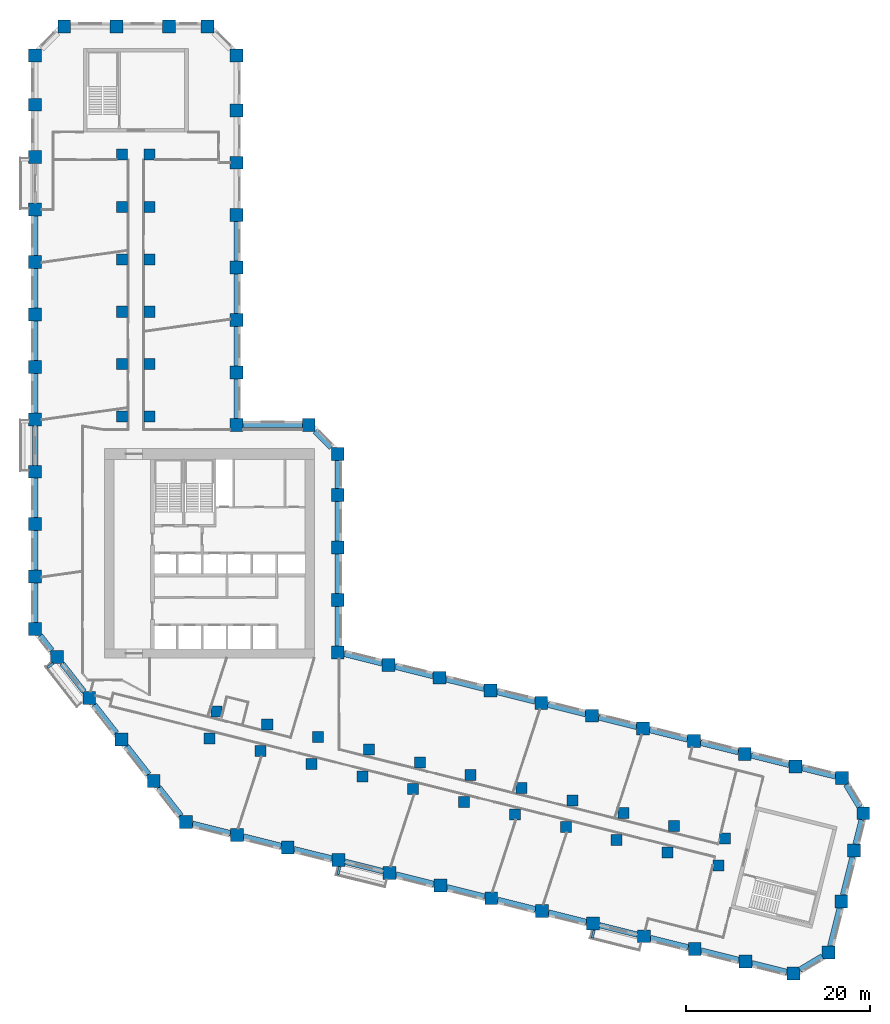
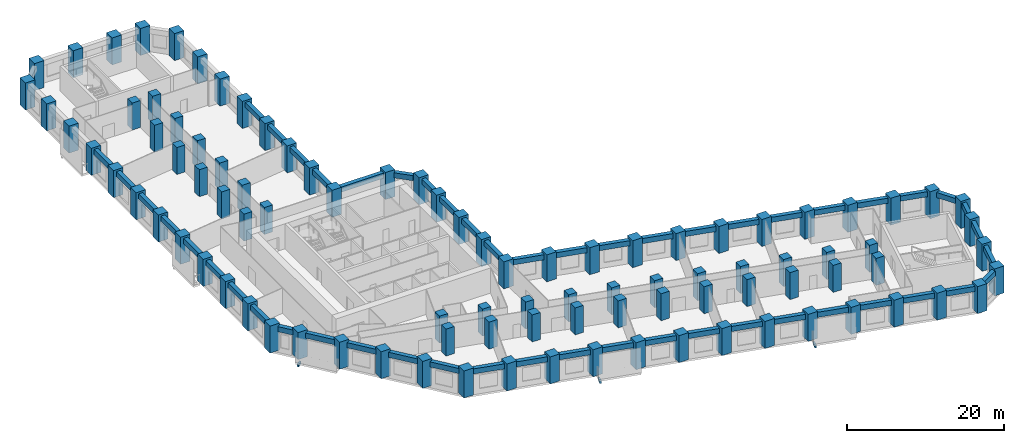
# One storey, part 1 of 12: 95 columns, 53 beams.
"""IFC4 building model written with IfcOpenShell, lengths in metres."""

from ifc_helpers import new_model, si_unit, direction, frame, origin, origin_2d, place, context, subcontext, project, spatial, rectangle, extrude, material, material_profile, profile_set, type_object, element, save


model = new_model("IFC4")

# Units and contexts
model_context = context("Model", 3, precision=1e-05, world=origin(), true_north=direction((0.0, 1.0)))
body_context = subcontext(model_context, "Body", "Model", "MODEL_VIEW")
ifc_project = project(units=[si_unit("LENGTHUNIT", "METRE"), si_unit("AREAUNIT", "SQUARE_METRE"), si_unit("VOLUMEUNIT", "CUBIC_METRE"), si_unit("PLANEANGLEUNIT", "RADIAN"), si_unit("MASSUNIT", "GRAM", prefix="KILO")], contexts=[model_context])

# Site, building, storey
site_placement = place(None, origin())
site = spatial("IfcSite", under=ifc_project, at=site_placement, CompositionType="ELEMENT")
building_placement = place(site_placement, origin())
building = spatial("IfcBuilding", under=site, at=building_placement, Name="Meshkara Civic Tower", CompositionType="ELEMENT")
storey_placement = place(building_placement, frame((0.0, 0.0, 62.39990234375)))
storey = spatial("IfcBuildingStorey", under=building, at=storey_placement, Name="L13", CompositionType="ELEMENT", Elevation=62.39990234375)

# Columns
ifc_material_1 = material(Name="Concrete C80", Category="concrete")
ifc_material_profile_1 = material_profile(ifc_material_1, rectangle(XDim=1.199951171875, YDim=1.199951171875, at=origin_2d()))
ifc_profile_set_1 = profile_set([ifc_material_profile_1], Name="Concrete C80")
column_type_1 = type_object("IfcColumnType", Name="Interior column RC 1200x1200 C80", PredefinedType="COLUMN", material=ifc_profile_set_1)
for number, where, z_axis, x_axis, name in (
    (1, (9.89990234375, 40.35009765625, 0.0), (0.0, 0.0, 1.0), (1.0, 0.0, 0.0), "Column SA1-04 L13"),
    (2, (9.89990234375, 46.050048828125, 0.0), (0.0, 0.0, 1.0), (1.0, 0.0, 0.0), "Column SA1-05 L13"),
    (3, (9.89990234375, 51.75, 0.0), (0.0, 0.0, 1.0), (1.0, 0.0, 0.0), "Column SA1-06 L13"),
    (4, (9.89990234375, 57.449951171875, 0.0), (0.0, 0.0, 1.0), (1.0, 0.0, 0.0), "Column SA1-07 L13"),
    (5, (9.89990234375, 63.14990234375, 0.0), (0.0, 0.0, 1.0), (1.0, 0.0, 0.0), "Column SA1-08 L13"),
    (6, (9.89990234375, 68.85009765625, 0.0), (0.0, 0.0, 1.0), (1.0, 0.0, 0.0), "Column SA1-09 L13"),
    (7, (12.89990234375, 40.35009765625, 0.0), (0.0, 0.0, 1.0), (1.0, 0.0, 0.0), "Column SA2-04 L13"),
    (8, (12.89990234375, 46.050048828125, 0.0), (0.0, 0.0, 1.0), (1.0, 0.0, 0.0), "Column SA2-05 L13"),
    (9, (12.89990234375, 51.75, 0.0), (0.0, 0.0, 1.0), (1.0, 0.0, 0.0), "Column SA2-06 L13"),
    (10, (12.89990234375, 57.449951171875, 0.0), (0.0, 0.0, 1.0), (1.0, 0.0, 0.0), "Column SA2-07 L13"),
    (11, (12.89990234375, 63.14990234375, 0.0), (0.0, 0.0, 1.0), (1.0, 0.0, 0.0), "Column SA2-08 L13"),
    (12, (12.89990234375, 68.85009765625, 0.0), (0.0, 0.0, 1.0), (1.0, 0.0, 0.0), "Column SA2-09 L13"),
    (13, (19.424072265625, 5.360107421875, 0.0), (0.0, 0.0, 1.0), (1.0, 0.0, 0.0), "Column SB1-00 L13"),
    (14, (24.9541015625, 3.98095703125, 0.0), (0.0, 0.0, 1.0), (1.0, 0.0, 0.0), "Column SB1-01 L13"),
    (15, (30.485107421875, 2.60205078125, 0.0), (0.0, 0.0, 1.0), (1.0, 0.0, 0.0), "Column SB1-02 L13"),
    (16, (36.01611328125, 1.222900390625, 0.0), (0.0, 0.0, 1.0), (1.0, 0.0, 0.0), "Column SB1-03 L13"),
    (17, (41.5458984375, -0.156005859375, 0.0), (0.0, 0.0, 1.0), (1.0, 0.0, 0.0), "Column SB1-04 L13"),
    (18, (47.076904296875, -1.534912109375, 0.0), (0.0, 0.0, 1.0), (1.0, 0.0, 0.0), "Column SB1-05 L13"),
    (19, (52.60791015625, -2.9140625, 0.0), (0.0, 0.0, 1.0), (1.0, 0.0, 0.0), "Column SB1-06 L13"),
    (20, (58.138916015625, -4.2919921875, 0.0), (0.0, 0.0, 1.0), (1.0, 0.0, 0.0), "Column SB1-07 L13"),
    (21, (63.6689453125, -5.6708984375, 0.0), (0.0, 0.0, 1.0), (1.0, 0.0, 0.0), "Column SB1-08 L13"),
    (22, (69.199951171875, -7.050048828125, 0.0), (0.0, 0.0, 1.0), (1.0, 0.0, 0.0), "Column SB1-09 L13"),
    (23, (74.73095703125, -8.428955078125, 0.0), (0.0, 0.0, 1.0), (1.0, 0.0, 0.0), "Column SB1-10 L13"),
    (24, (20.14892578125, 8.27099609375, 0.0), (0.0, 0.0, 1.0), (1.0, 0.0, 0.0), "Column SB2-00 L13"),
    (25, (25.679931640625, 6.89208984375, 0.0), (0.0, 0.0, 1.0), (1.0, 0.0, 0.0), "Column SB2-01 L13"),
    (26, (31.2109375, 5.512939453125, 0.0), (0.0, 0.0, 1.0), (1.0, 0.0, 0.0), "Column SB2-02 L13"),
    (27, (36.741943359375, 4.134033203125, 0.0), (0.0, 0.0, 1.0), (1.0, 0.0, 0.0), "Column SB2-03 L13"),
    (28, (42.27197265625, 2.7548828125, 0.0), (0.0, 0.0, 1.0), (1.0, 0.0, 0.0), "Column SB2-04 L13"),
    (29, (47.802978515625, 1.3759765625, 0.0), (0.0, 0.0, 1.0), (1.0, 0.0, 0.0), "Column SB2-05 L13"),
    (30, (53.333984375, -0.0029296875, 0.0), (0.0, 0.0, 1.0), (1.0, 0.0, 0.0), "Column SB2-06 L13"),
    (31, (58.864013671875, -1.382080078125, 0.0), (0.0, 0.0, 1.0), (1.0, 0.0, 0.0), "Column SB2-07 L13"),
    (32, (64.39501953125, -2.760986328125, 0.0), (0.0, 0.0, 1.0), (1.0, 0.0, 0.0), "Column SB2-08 L13"),
    (33, (69.926025390625, -4.139892578125, 0.0), (0.0, 0.0, 1.0), (1.0, 0.0, 0.0), "Column SB2-09 L13"),
    (34, (75.4560546875, -5.51806640625, 0.0), (0.0, 0.0, 1.0), (1.0, 0.0, 0.0), "Column SB2-10 L13"),
):
    element("IfcColumn", number, at=place(storey_placement, frame(where, z_axis=z_axis, x_axis=x_axis)), inside=storey, type_object=column_type_1, Name=name, PredefinedType="COLUMN", context=body_context, shape_type="SweptSolid", body=[
        extrude(rectangle(XDim=1.199951171875, YDim=1.199951171875, at=origin_2d()), origin(), (0.0, 0.0, 1.0), 4.2001953125),
    ])
ifc_material_2 = material(Name="Concrete C80", Category="concrete")
ifc_material_profile_2 = material_profile(ifc_material_2, rectangle(XDim=1.39990234375, YDim=1.39990234375, at=origin_2d()))
ifc_profile_set_2 = profile_set([ifc_material_profile_2], Name="Concrete C80")
column_type_2 = type_object("IfcColumnType", Name="Perimeter column RC 1400x1400 C80", PredefinedType="COLUMN", material=ifc_profile_set_2)
for number, where, z_axis, x_axis, name in (
    (35, (33.35009765625, 14.718994140625, 0.0), (0.0, 0.0, 1.0), (1.0, 0.0, 0.0), "Column HE00 L13"),
    (36, (33.35009765625, 20.4189453125, 0.0), (0.0, 0.0, 1.0), (1.0, 0.0, 0.0), "Column HE01 L13"),
    (37, (33.35009765625, 26.118896484375, 0.0), (0.0, 0.0, 1.0), (1.0, 0.0, 0.0), "Column HE02 L13"),
    (38, (33.35009765625, 31.819091796875, 0.0), (0.0, 0.0, 1.0), (1.0, 0.0, 0.0), "Column HE03 L13"),
    (39, (33.35009765625, 36.2939453125, 0.0), (0.0, 0.0, 1.0), (1.0, 0.0, 0.0), "Column HEE L13"),
    (40, (30.194091796875, 39.449951171875, 0.0), (0.0, 0.0, 1.0), (1.0, 0.0, 0.0), "Column HCeE L13"),
    (41, (22.35009765625, 39.449951171875, 0.0), (0.0, 0.0, 1.0), (1.0, 0.0, 0.0), "Column HN00 L13"),
    (42, (22.35009765625, 45.14990234375, 0.0), (0.0, 0.0, 1.0), (1.0, 0.0, 0.0), "Column AE01 L13"),
    (43, (22.35009765625, 50.85009765625, 0.0), (0.0, 0.0, 1.0), (1.0, 0.0, 0.0), "Column AE02 L13"),
    (44, (22.35009765625, 56.550048828125, 0.0), (0.0, 0.0, 1.0), (1.0, 0.0, 0.0), "Column AE03 L13"),
    (45, (22.35009765625, 62.25, 0.0), (0.0, 0.0, 1.0), (1.0, 0.0, 0.0), "Column AE04 L13"),
    (46, (22.35009765625, 67.949951171875, 0.0), (0.0, 0.0, 1.0), (1.0, 0.0, 0.0), "Column AE05 L13"),
    (47, (22.35009765625, 73.64990234375, 0.0), (0.0, 0.0, 1.0), (1.0, 0.0, 0.0), "Column AE06 L13"),
    (48, (22.35009765625, 79.614013671875, 0.0), (0.0, 0.0, 1.0), (1.0, 0.0, 0.0), "Column AEE L13"),
    (49, (19.194091796875, 82.77001953125, 0.0), (0.0, 0.0, 1.0), (1.0, 0.0, 0.0), "Column ATiE L13"),
    (50, (3.60595703125, 82.77001953125, 0.0), (0.0, 0.0, 1.0), (1.0, 0.0, 0.0), "Column AT00 L13"),
    (51, (9.305908203125, 82.77001953125, 0.0), (0.0, 0.0, 1.0), (1.0, 0.0, 0.0), "Column AT01 L13"),
    (52, (15.006103515625, 82.77001953125, 0.0), (0.0, 0.0, 1.0), (1.0, 0.0, 0.0), "Column AT02 L13"),
    (53, (0.449951171875, 79.614013671875, 0.0), (0.0, 0.0, 1.0), (1.0, 0.0, 0.0), "Column ATo00 L13"),
    (54, (0.449951171875, 17.2548828125, 0.0), (0.0, 0.0, 1.0), (1.0, 0.0, 0.0), "Column AW00 L13"),
    (55, (0.449951171875, 22.955078125, 0.0), (0.0, 0.0, 1.0), (1.0, 0.0, 0.0), "Column AW01 L13"),
    (56, (0.449951171875, 28.655029296875, 0.0), (0.0, 0.0, 1.0), (1.0, 0.0, 0.0), "Column AW02 L13"),
    (57, (0.449951171875, 34.35498046875, 0.0), (0.0, 0.0, 1.0), (1.0, 0.0, 0.0), "Column AW03 L13"),
    (58, (0.449951171875, 40.054931640625, 0.0), (0.0, 0.0, 1.0), (1.0, 0.0, 0.0), "Column AW04 L13"),
    (59, (0.449951171875, 45.7548828125, 0.0), (0.0, 0.0, 1.0), (1.0, 0.0, 0.0), "Column AW05 L13"),
    (60, (0.449951171875, 51.455078125, 0.0), (0.0, 0.0, 1.0), (1.0, 0.0, 0.0), "Column AW06 L13"),
    (61, (0.449951171875, 57.155029296875, 0.0), (0.0, 0.0, 1.0), (1.0, 0.0, 0.0), "Column AW07 L13"),
    (62, (0.449951171875, 62.85498046875, 0.0), (0.0, 0.0, 1.0), (1.0, 0.0, 0.0), "Column AW08 L13"),
    (63, (0.449951171875, 68.554931640625, 0.0), (0.0, 0.0, 1.0), (1.0, 0.0, 0.0), "Column AW09 L13"),
    (64, (0.449951171875, 74.2548828125, 0.0), (0.0, 0.0, 1.0), (1.0, 0.0, 0.0), "Column AW10 L13"),
    (65, (16.85107421875, -3.738037109375, 0.0), (0.0, 0.0, 1.0), (1.0, 0.0, 0.0), "Column BOW00 L13"),
    (66, (13.342041015625, 0.75390625, 0.0), (0.0, 0.0, 1.0), (1.0, 0.0, 0.0), "Column BOW01 L13"),
    (67, (9.8330078125, 5.2451171875, 0.0), (0.0, 0.0, 1.0), (1.0, 0.0, 0.0), "Column BOW02 L13"),
    (68, (6.322998046875, 9.737060546875, 0.0), (0.0, 0.0, 1.0), (1.0, 0.0, 0.0), "Column BOW03 L13"),
    (69, (2.81396484375, 14.22900390625, 0.0), (0.0, 0.0, 1.0), (1.0, 0.0, 0.0), "Column BOW04 L13"),
    (70, (22.382080078125, -5.116943359375, 0.0), (0.0, 0.0, 1.0), (1.0, 0.0, 0.0), "Column BS01 L13"),
    (71, (27.912109375, -6.49609375, 0.0), (0.0, 0.0, 1.0), (1.0, 0.0, 0.0), "Column BS02 L13"),
    (72, (33.443115234375, -7.875, 0.0), (0.0, 0.0, 1.0), (1.0, 0.0, 0.0), "Column BS03 L13"),
    (73, (38.97412109375, -9.25390625, 0.0), (0.0, 0.0, 1.0), (1.0, 0.0, 0.0), "Column BS04 L13"),
    (74, (44.5048828125, -10.632080078125, 0.0), (0.0, 0.0, 1.0), (1.0, 0.0, 0.0), "Column BS05 L13"),
    (75, (50.034912109375, -12.010986328125, 0.0), (0.0, 0.0, 1.0), (1.0, 0.0, 0.0), "Column BS06 L13"),
    (76, (55.56591796875, -13.389892578125, 0.0), (0.0, 0.0, 1.0), (1.0, 0.0, 0.0), "Column BS07 L13"),
    (77, (61.096923828125, -14.76904296875, 0.0), (0.0, 0.0, 1.0), (1.0, 0.0, 0.0), "Column BS08 L13"),
    (78, (66.626953125, -16.14794921875, 0.0), (0.0, 0.0, 1.0), (1.0, 0.0, 0.0), "Column BS09 L13"),
    (79, (72.157958984375, -17.527099609375, 0.0), (0.0, 0.0, 1.0), (1.0, 0.0, 0.0), "Column BS10 L13"),
    (80, (77.68896484375, -18.906005859375, 0.0), (0.0, 0.0, 1.0), (1.0, 0.0, 0.0), "Column BS11 L13"),
    (81, (82.887939453125, -20.201904296875, 0.0), (0.0, 0.0, 1.0), (1.0, 0.0, 0.0), "Column BSE L13"),
    (82, (86.714111328125, -17.903076171875, 0.0), (0.0, 0.0, 1.0), (1.0, 0.0, 0.0), "Column BToE L13"),
    (83, (88.093017578125, -12.3720703125, 0.0), (0.0, 0.0, 1.0), (1.0, 0.0, 0.0), "Column BT01 L13"),
    (84, (89.471923828125, -6.842041015625, 0.0), (0.0, 0.0, 1.0), (1.0, 0.0, 0.0), "Column BT02 L13"),
    (85, (90.485107421875, -2.779052734375, 0.0), (0.0, 0.0, 1.0), (1.0, 0.0, 0.0), "Column BTE L13"),
    (86, (88.18603515625, 1.0458984375, 0.0), (0.0, 0.0, 1.0), (1.0, 0.0, 0.0), "Column BTi00 L13"),
    (87, (38.881103515625, 13.340087890625, 0.0), (0.0, 0.0, 1.0), (1.0, 0.0, 0.0), "Column BN01 L13"),
    (88, (44.410888671875, 11.9609375, 0.0), (0.0, 0.0, 1.0), (1.0, 0.0, 0.0), "Column BN02 L13"),
    (89, (49.94189453125, 10.58203125, 0.0), (0.0, 0.0, 1.0), (1.0, 0.0, 0.0), "Column BN03 L13"),
    (90, (55.472900390625, 9.202880859375, 0.0), (0.0, 0.0, 1.0), (1.0, 0.0, 0.0), "Column BN04 L13"),
    (91, (61.0029296875, 7.823974609375, 0.0), (0.0, 0.0, 1.0), (1.0, 0.0, 0.0), "Column BN05 L13"),
    (92, (66.533935546875, 6.445068359375, 0.0), (0.0, 0.0, 1.0), (1.0, 0.0, 0.0), "Column BN06 L13"),
    (93, (72.06494140625, 5.06591796875, 0.0), (0.0, 0.0, 1.0), (1.0, 0.0, 0.0), "Column BN07 L13"),
    (94, (77.594970703125, 3.68701171875, 0.0), (0.0, 0.0, 1.0), (1.0, 0.0, 0.0), "Column BN08 L13"),
    (95, (83.1259765625, 2.30810546875, 0.0), (0.0, 0.0, 1.0), (1.0, 0.0, 0.0), "Column BN09 L13"),
):
    element("IfcColumn", number, at=place(storey_placement, frame(where, z_axis=z_axis, x_axis=x_axis)), inside=storey, type_object=column_type_2, Name=name, PredefinedType="COLUMN", context=body_context, shape_type="SweptSolid", body=[
        extrude(rectangle(XDim=1.39990234375, YDim=1.39990234375, at=origin_2d()), origin(), (0.0, 0.0, 1.0), 4.2001953125),
    ])

# Beams
ifc_material_3 = material(Name="Concrete C50", Category="concrete")
ifc_material_profile_3 = material_profile(ifc_material_3, rectangle(XDim=0.25, YDim=0.39990234375, at=origin_2d()))
ifc_profile_set_3 = profile_set([ifc_material_profile_3], Name="Concrete C50")
beam_type_1 = type_object("IfcBeamType", Name="Balcony bracket beam RC 250x400 C50", PredefinedType="BEAM", material=ifc_profile_set_3)
beam_1_placement = place(storey_placement, frame((2.408935546875, 13.531982421875, -0.5), z_axis=(-0.787858193001, -0.615856694143, 0.0), x_axis=(0.615856694143, -0.787858193001, 0.0)))
element("IfcBeam", 96, at=beam_1_placement, inside=storey, type_object=beam_type_1, Name="Balcony bracket beam", PredefinedType="BEAM", context=body_context, shape_type="SweptSolid", body=[
    extrude(rectangle(XDim=0.25, YDim=0.39990234375, at=origin_2d()), origin(), (0.0, 0.0, 1.0), 0.802001953125),
])
beam_2_placement = place(storey_placement, frame((33.5791015625, -8.570068359375, -0.5), z_axis=(-0.242535625036, -0.970142500145, 0.0), x_axis=(0.970142500145, -0.242535625036, 0.0)))
element("IfcBeam", 97, at=beam_2_placement, inside=storey, type_object=beam_type_1, Name="Balcony bracket beam", PredefinedType="BEAM", context=body_context, shape_type="SweptSolid", body=[
    extrude(rectangle(XDim=0.25, YDim=0.39990234375, at=origin_2d()), origin(), (0.0, 0.0, 1.0), 0.907958984375),
])
beam_3_placement = place(storey_placement, frame((61.23291015625, -15.464111328125, -0.5), z_axis=(-0.242029947494, -0.970268779522, 0.0), x_axis=(0.970268779522, -0.242029947494, 0.0)))
element("IfcBeam", 98, at=beam_3_placement, inside=storey, type_object=beam_type_1, Name="Balcony bracket beam", PredefinedType="BEAM", context=body_context, shape_type="SweptSolid", body=[
    extrude(rectangle(XDim=0.25, YDim=0.39990234375, at=origin_2d()), origin(), (0.0, 0.0, 1.0), 0.908935546875),
])
ifc_material_4 = material(Name="Concrete C70", Category="concrete")
ifc_material_profile_4 = material_profile(ifc_material_4, rectangle(XDim=0.60009765625, YDim=0.800048828125, at=origin_2d()))
ifc_profile_set_4 = profile_set([ifc_material_profile_4], Name="Concrete C70")
beam_type_2 = type_object("IfcBeamType", Name="Spandrel beam RC 600x800 C70", PredefinedType="BEAM", material=ifc_profile_set_4)
beam_4_placement = place(storey_placement, frame((82.430908203125, 2.481201171875, 3.5), z_axis=(-0.97029374225, 0.241929852955, 0.0), x_axis=(-0.241929852955, -0.97029374225, 0.0)))
element("IfcBeam", 99, at=beam_4_placement, inside=storey, type_object=beam_type_2, Name="Spandrel beam BN08-BN09", PredefinedType="BEAM", context=body_context, shape_type="SweptSolid", body=[
    extrude(rectangle(XDim=0.60009765625, YDim=0.800048828125, at=origin_2d()), origin(), (0.0, 0.0, 1.0), 4.267578125),
])
beam_5_placement = place(storey_placement, frame((76.89990234375, 3.8603515625, 3.5), z_axis=(-0.970293777887, 0.241929710026, 0.0), x_axis=(-0.241929710026, -0.970293777887, 0.0)))
element("IfcBeam", 100, at=beam_5_placement, inside=storey, type_object=beam_type_2, Name="Spandrel beam BN07-BN08", PredefinedType="BEAM", context=body_context, shape_type="SweptSolid", body=[
    extrude(rectangle(XDim=0.60009765625, YDim=0.800048828125, at=origin_2d()), origin(), (0.0, 0.0, 1.0), 4.2666015625),
])
for number, where, z_axis, x_axis, name in (
    (101, (71.369873046875, 5.2392578125, 3.5), (-0.97029374225, 0.241929852955, 0.0), (-0.241929852955, -0.97029374225, 0.0), "Spandrel beam BN06-BN07"),
    (102, (65.8388671875, 6.618408203125, 3.5), (-0.970307169965, 0.241875992843, 0.0), (-0.241875992843, -0.970307169965, 0.0), "Spandrel beam BN05-BN06"),
):
    element("IfcBeam", number, at=place(storey_placement, frame(where, z_axis=z_axis, x_axis=x_axis)), inside=storey, type_object=beam_type_2, Name=name, PredefinedType="BEAM", context=body_context, shape_type="SweptSolid", body=[
        extrude(rectangle(XDim=0.60009765625, YDim=0.800048828125, at=origin_2d()), origin(), (0.0, 0.0, 1.0), 4.267578125),
    ])
beam_6_placement = place(storey_placement, frame((60.307861328125, 7.997314453125, 3.5), z_axis=(-0.970276993533, 0.241997016139, 0.0), x_axis=(-0.241997016139, -0.970276993533, 0.0)))
element("IfcBeam", 103, at=beam_6_placement, inside=storey, type_object=beam_type_2, Name="Spandrel beam BN04-BN05", PredefinedType="BEAM", context=body_context, shape_type="SweptSolid", body=[
    extrude(rectangle(XDim=0.60009765625, YDim=0.800048828125, at=origin_2d()), origin(), (0.0, 0.0, 1.0), 4.266357421875),
])
for number, where, z_axis, x_axis, name in (
    (104, (54.77783203125, 9.376220703125, 3.5), (-0.970290393622, 0.241943282702, 0.0), (-0.241943282702, -0.970290393622, 0.0), "Spandrel beam BN03-BN04"),
    (105, (49.246826171875, 10.75537109375, 3.5), (-0.970303822782, 0.241889419972, 0.0), (-0.241889419972, -0.970303822782, 0.0), "Spandrel beam BN02-BN03"),
):
    element("IfcBeam", number, at=place(storey_placement, frame(where, z_axis=z_axis, x_axis=x_axis)), inside=storey, type_object=beam_type_2, Name=name, PredefinedType="BEAM", context=body_context, shape_type="SweptSolid", body=[
        extrude(rectangle(XDim=0.60009765625, YDim=0.800048828125, at=origin_2d()), origin(), (0.0, 0.0, 1.0), 4.267333984375),
    ])
beam_7_placement = place(storey_placement, frame((43.7158203125, 12.13427734375, 3.5), z_axis=(-0.970276993533, 0.241997016139, 0.0), x_axis=(-0.241997016139, -0.970276993533, 0.0)))
element("IfcBeam", 106, at=beam_7_placement, inside=storey, type_object=beam_type_2, Name="Spandrel beam BN01-BN02", PredefinedType="BEAM", context=body_context, shape_type="SweptSolid", body=[
    extrude(rectangle(XDim=0.60009765625, YDim=0.800048828125, at=origin_2d()), origin(), (0.0, 0.0, 1.0), 4.266357421875),
])
beam_8_placement = place(storey_placement, frame((38.185791015625, 13.51318359375, 3.5), z_axis=(-0.970290393622, 0.241943282702, 0.0), x_axis=(-0.241943282702, -0.970290393622, 0.0)))
element("IfcBeam", 107, at=beam_8_placement, inside=storey, type_object=beam_type_2, Name="Spandrel beam BN01-HE00", PredefinedType="BEAM", context=body_context, shape_type="SweptSolid", body=[
    extrude(rectangle(XDim=0.60009765625, YDim=0.800048828125, at=origin_2d()), origin(), (0.0, 0.0, 1.0), 4.267333984375),
])
for number, where, z_axis, x_axis, name in (
    (108, (33.35009765625, 15.4140625, 3.5), (0.0, 1.0, 0.0), (-1.0, 0.0, 0.0), "Spandrel beam HE00-HE01"),
    (109, (33.35009765625, 21.114013671875, 3.5), (0.0, 1.0, 0.0), (-1.0, 0.0, 0.0), "Spandrel beam HE01-HE02"),
    (110, (33.35009765625, 26.81396484375, 3.5), (0.0, 1.0, 0.0), (-1.0, 0.0, 0.0), "Spandrel beam HE02-HE03"),
):
    element("IfcBeam", number, at=place(storey_placement, frame(where, z_axis=z_axis, x_axis=x_axis)), inside=storey, type_object=beam_type_2, Name=name, PredefinedType="BEAM", context=body_context, shape_type="SweptSolid", body=[
        extrude(rectangle(XDim=0.60009765625, YDim=0.800048828125, at=origin_2d()), origin(), (0.0, 0.0, 1.0), 4.31005859375),
    ])
beam_9_placement = place(storey_placement, frame((33.35009765625, 32.513916015625, 3.5), z_axis=(0.0, 1.0, 0.0), x_axis=(-1.0, 0.0, 0.0)))
element("IfcBeam", 111, at=beam_9_placement, inside=storey, type_object=beam_type_2, Name="Spandrel beam HE03-HEE", PredefinedType="BEAM", context=body_context, shape_type="SweptSolid", body=[
    extrude(rectangle(XDim=0.60009765625, YDim=0.800048828125, at=origin_2d()), origin(), (0.0, 0.0, 1.0), 3.085205078125),
])
beam_10_placement = place(storey_placement, frame((32.653564453125, 36.990478515625, 3.5), z_axis=(-0.707155737934, 0.70705782105, 0.0), x_axis=(-0.70705782105, -0.707155737934, 0.0)))
element("IfcBeam", 112, at=beam_10_placement, inside=storey, type_object=beam_type_2, Name="Spandrel beam HCeE-HEE", PredefinedType="BEAM", context=body_context, shape_type="SweptSolid", body=[
    extrude(rectangle(XDim=0.60009765625, YDim=0.800048828125, at=origin_2d()), origin(), (0.0, 0.0, 1.0), 2.493408203125),
])
beam_11_placement = place(storey_placement, frame((29.4990234375, 39.449951171875, 3.5), z_axis=(-1.0, 0.0, 0.0), x_axis=(0.0, -1.0, 0.0)))
element("IfcBeam", 113, at=beam_11_placement, inside=storey, type_object=beam_type_2, Name="Spandrel beam HCeE-HN00", PredefinedType="BEAM", context=body_context, shape_type="SweptSolid", body=[
    extrude(rectangle(XDim=0.60009765625, YDim=0.800048828125, at=origin_2d()), origin(), (0.0, 0.0, 1.0), 6.4541015625),
])
for number, where, z_axis, x_axis, name in (
    (114, (22.35009765625, 40.14501953125, 3.5), (0.0, 1.0, 0.0), (-1.0, 0.0, 0.0), "Spandrel beam AE01-HN00"),
    (115, (22.35009765625, 45.844970703125, 3.5), (0.0, 1.0, 0.0), (-1.0, 0.0, 0.0), "Spandrel beam AE01-AE02"),
    (116, (22.35009765625, 51.544921875, 3.5), (0.0, 1.0, 0.0), (-1.0, 0.0, 0.0), "Spandrel beam AE02-AE03"),
):
    element("IfcBeam", number, at=place(storey_placement, frame(where, z_axis=z_axis, x_axis=x_axis)), inside=storey, type_object=beam_type_2, Name=name, PredefinedType="BEAM", context=body_context, shape_type="SweptSolid", body=[
        extrude(rectangle(XDim=0.60009765625, YDim=0.800048828125, at=origin_2d()), origin(), (0.0, 0.0, 1.0), 4.31005859375),
    ])
for number, where, z_axis, x_axis, name in (
    (117, (22.35009765625, 57.2451171875, 3.5), (0.0, 1.0, 0.0), (-1.0, 0.0, 0.0), "Spandrel beam AE03-AE04"),
    (118, (0.449951171875, 62.159912109375, 3.5), (0.0, -1.0, 0.0), (1.0, 0.0, 0.0), "Spandrel beam AW07-AW08"),
):
    element("IfcBeam", number, at=place(storey_placement, frame(where, z_axis=z_axis, x_axis=x_axis)), inside=storey, type_object=beam_type_2, Name=name, PredefinedType="BEAM", context=body_context, shape_type="SweptSolid", body=[
        extrude(rectangle(XDim=0.60009765625, YDim=0.800048828125, at=origin_2d()), origin(), (0.0, 0.0, 1.0), 4.309814453125),
    ])
for number, where, z_axis, x_axis, name in (
    (119, (0.449951171875, 56.4599609375, 3.5), (0.0, -1.0, 0.0), (1.0, 0.0, 0.0), "Spandrel beam AW06-AW07"),
    (120, (0.449951171875, 50.760009765625, 3.5), (0.0, -1.0, 0.0), (1.0, 0.0, 0.0), "Spandrel beam AW05-AW06"),
    (121, (0.449951171875, 45.06005859375, 3.5), (0.0, -1.0, 0.0), (1.0, 0.0, 0.0), "Spandrel beam AW04-AW05"),
    (122, (0.449951171875, 39.360107421875, 3.5), (0.0, -1.0, 0.0), (1.0, 0.0, 0.0), "Spandrel beam AW03-AW04"),
):
    element("IfcBeam", number, at=place(storey_placement, frame(where, z_axis=z_axis, x_axis=x_axis)), inside=storey, type_object=beam_type_2, Name=name, PredefinedType="BEAM", context=body_context, shape_type="SweptSolid", body=[
        extrude(rectangle(XDim=0.60009765625, YDim=0.800048828125, at=origin_2d()), origin(), (0.0, 0.0, 1.0), 4.31005859375),
    ])
beam_12_placement = place(storey_placement, frame((0.449951171875, 33.659912109375, 3.5), z_axis=(0.0, -1.0, 0.0), x_axis=(1.0, 0.0, 0.0)))
element("IfcBeam", 123, at=beam_12_placement, inside=storey, type_object=beam_type_2, Name="Spandrel beam AW02-AW03", PredefinedType="BEAM", context=body_context, shape_type="SweptSolid", body=[
    extrude(rectangle(XDim=0.60009765625, YDim=0.800048828125, at=origin_2d()), origin(), (0.0, 0.0, 1.0), 4.309814453125),
])
for number, where, z_axis, x_axis, name in (
    (124, (0.449951171875, 27.9599609375, 3.5), (0.0, -1.0, 0.0), (1.0, 0.0, 0.0), "Spandrel beam AW01-AW02"),
    (125, (0.449951171875, 22.260009765625, 3.5), (0.0, -1.0, 0.0), (1.0, 0.0, 0.0), "Spandrel beam AW00-AW01"),
):
    element("IfcBeam", number, at=place(storey_placement, frame(where, z_axis=z_axis, x_axis=x_axis)), inside=storey, type_object=beam_type_2, Name=name, PredefinedType="BEAM", context=body_context, shape_type="SweptSolid", body=[
        extrude(rectangle(XDim=0.60009765625, YDim=0.800048828125, at=origin_2d()), origin(), (0.0, 0.0, 1.0), 4.31005859375),
    ])
beam_13_placement = place(storey_placement, frame((0.993896484375, 16.558837890625, 3.5), z_axis=(0.615634901283, -0.788031514803, 0.0), x_axis=(0.788031514803, 0.615634901283, 0.0)))
element("IfcBeam", 126, at=beam_13_placement, inside=storey, type_object=beam_type_2, Name="Spandrel beam AW00-BOW04", PredefinedType="BEAM", context=body_context, shape_type="SweptSolid", body=[
    extrude(rectangle(XDim=0.60009765625, YDim=0.800048828125, at=origin_2d()), origin(), (0.0, 0.0, 1.0), 2.0732421875),
])
beam_14_placement = place(storey_placement, frame((3.357666015625, 13.532958984375, 3.5), z_axis=(0.615623566685, -0.788040369614, 0.0), x_axis=(0.788040369614, 0.615623566685, 0.0)))
element("IfcBeam", 127, at=beam_14_placement, inside=storey, type_object=beam_type_2, Name="Spandrel beam BOW03-BOW04", PredefinedType="BEAM", context=body_context, shape_type="SweptSolid", body=[
    extrude(rectangle(XDim=0.60009765625, YDim=0.800048828125, at=origin_2d()), origin(), (0.0, 0.0, 1.0), 3.93359375),
])
beam_15_placement = place(storey_placement, frame((6.866943359375, 9.041015625, 3.5), z_axis=(0.61570064363, -0.787980150406, 0.0), x_axis=(0.787980150406, 0.61570064363, 0.0)))
element("IfcBeam", 128, at=beam_15_placement, inside=storey, type_object=beam_type_2, Name="Spandrel beam BOW02-BOW03", PredefinedType="BEAM", context=body_context, shape_type="SweptSolid", body=[
    extrude(rectangle(XDim=0.60009765625, YDim=0.800048828125, at=origin_2d()), origin(), (0.0, 0.0, 1.0), 3.933837890625),
])
beam_16_placement = place(storey_placement, frame((10.376953125, 4.548828125, 3.5), z_axis=(0.615697051917, -0.787982956834, 0.0), x_axis=(0.787982956834, 0.615697051917, 0.0)))
element("IfcBeam", 129, at=beam_16_placement, inside=storey, type_object=beam_type_2, Name="Spandrel beam BOW01-BOW02", PredefinedType="BEAM", context=body_context, shape_type="SweptSolid", body=[
    extrude(rectangle(XDim=0.60009765625, YDim=0.800048828125, at=origin_2d()), origin(), (0.0, 0.0, 1.0), 3.932373046875),
])
beam_17_placement = place(storey_placement, frame((13.8857421875, 0.057861328125, 3.5), z_axis=(0.615623566685, -0.788040369614, 0.0), x_axis=(0.788040369614, 0.615623566685, 0.0)))
element("IfcBeam", 130, at=beam_17_placement, inside=storey, type_object=beam_type_2, Name="Spandrel beam BOW00-BOW01", PredefinedType="BEAM", context=body_context, shape_type="SweptSolid", body=[
    extrude(rectangle(XDim=0.60009765625, YDim=0.800048828125, at=origin_2d()), origin(), (0.0, 0.0, 1.0), 3.93359375),
])
beam_18_placement = place(storey_placement, frame((17.546142578125, -3.911376953125, 3.5), z_axis=(0.970307169965, -0.241875992843, 0.0), x_axis=(0.241875992843, 0.970307169965, 0.0)))
element("IfcBeam", 131, at=beam_18_placement, inside=storey, type_object=beam_type_2, Name="Spandrel beam BOW00-BS01", PredefinedType="BEAM", context=body_context, shape_type="SweptSolid", body=[
    extrude(rectangle(XDim=0.60009765625, YDim=0.800048828125, at=origin_2d()), origin(), (0.0, 0.0, 1.0), 4.267578125),
])
beam_19_placement = place(storey_placement, frame((23.0771484375, -5.290283203125, 3.5), z_axis=(0.970276993533, -0.241997016139, 0.0), x_axis=(0.241997016139, 0.970276993533, 0.0)))
element("IfcBeam", 132, at=beam_19_placement, inside=storey, type_object=beam_type_2, Name="Spandrel beam BS01-BS02", PredefinedType="BEAM", context=body_context, shape_type="SweptSolid", body=[
    extrude(rectangle(XDim=0.60009765625, YDim=0.800048828125, at=origin_2d()), origin(), (0.0, 0.0, 1.0), 4.266357421875),
])
for number, where, z_axis, x_axis, name in (
    (133, (28.607177734375, -6.669189453125, 3.5), (0.970290393622, -0.241943282702, 0.0), (0.241943282702, 0.970290393622, 0.0), "Spandrel beam BS02-BS03"),
    (134, (34.13818359375, -8.04833984375, 3.5), (0.970290393622, -0.241943282702, 0.0), (0.241943282702, 0.970290393622, 0.0), "Spandrel beam BS03-BS04"),
):
    element("IfcBeam", number, at=place(storey_placement, frame(where, z_axis=z_axis, x_axis=x_axis)), inside=storey, type_object=beam_type_2, Name=name, PredefinedType="BEAM", context=body_context, shape_type="SweptSolid", body=[
        extrude(rectangle(XDim=0.60009765625, YDim=0.800048828125, at=origin_2d()), origin(), (0.0, 0.0, 1.0), 4.267333984375),
    ])
beam_20_placement = place(storey_placement, frame((39.669189453125, -9.42724609375, 3.5), z_axis=(0.97034409455, -0.241727818365, 0.0), x_axis=(0.241727818365, 0.97034409455, 0.0)))
element("IfcBeam", 135, at=beam_20_placement, inside=storey, type_object=beam_type_2, Name="Spandrel beam BS04-BS05", PredefinedType="BEAM", context=body_context, shape_type="SweptSolid", body=[
    extrude(rectangle(XDim=0.60009765625, YDim=0.800048828125, at=origin_2d()), origin(), (0.0, 0.0, 1.0), 4.26708984375),
])
beam_21_placement = place(storey_placement, frame((45.2001953125, -10.805419921875, 3.5), z_axis=(0.970290428474, -0.241943142934, 0.0), x_axis=(0.241943142934, 0.970290428474, 0.0)))
element("IfcBeam", 136, at=beam_21_placement, inside=storey, type_object=beam_type_2, Name="Spandrel beam BS05-BS06", PredefinedType="BEAM", context=body_context, shape_type="SweptSolid", body=[
    extrude(rectangle(XDim=0.60009765625, YDim=0.800048828125, at=origin_2d()), origin(), (0.0, 0.0, 1.0), 4.266357421875),
])
for number, where, z_axis, x_axis, name in (
    (137, (50.72998046875, -12.184326171875, 3.5), (0.97029374225, -0.241929852955, 0.0), (0.241929852955, 0.97029374225, 0.0), "Spandrel beam BS06-BS07"),
    (138, (56.260986328125, -13.563232421875, 3.5), (0.97029374225, -0.241929852955, 0.0), (0.241929852955, 0.97029374225, 0.0), "Spandrel beam BS07-BS08"),
):
    element("IfcBeam", number, at=place(storey_placement, frame(where, z_axis=z_axis, x_axis=x_axis)), inside=storey, type_object=beam_type_2, Name=name, PredefinedType="BEAM", context=body_context, shape_type="SweptSolid", body=[
        extrude(rectangle(XDim=0.60009765625, YDim=0.800048828125, at=origin_2d()), origin(), (0.0, 0.0, 1.0), 4.267578125),
    ])
beam_22_placement = place(storey_placement, frame((61.7919921875, -14.9423828125, 3.5), z_axis=(0.970293777887, -0.241929710026, 0.0), x_axis=(0.241929710026, 0.970293777887, 0.0)))
element("IfcBeam", 139, at=beam_22_placement, inside=storey, type_object=beam_type_2, Name="Spandrel beam BS08-BS09", PredefinedType="BEAM", context=body_context, shape_type="SweptSolid", body=[
    extrude(rectangle(XDim=0.60009765625, YDim=0.800048828125, at=origin_2d()), origin(), (0.0, 0.0, 1.0), 4.2666015625),
])
for number, where, z_axis, x_axis, name in (
    (140, (67.322021484375, -16.3212890625, 3.5), (0.97029374225, -0.241929852955, 0.0), (0.241929852955, 0.97029374225, 0.0), "Spandrel beam BS09-BS10"),
    (141, (72.85302734375, -17.7001953125, 3.5), (0.97029374225, -0.241929852955, 0.0), (0.241929852955, 0.97029374225, 0.0), "Spandrel beam BS10-BS11"),
):
    element("IfcBeam", number, at=place(storey_placement, frame(where, z_axis=z_axis, x_axis=x_axis)), inside=storey, type_object=beam_type_2, Name=name, PredefinedType="BEAM", context=body_context, shape_type="SweptSolid", body=[
        extrude(rectangle(XDim=0.60009765625, YDim=0.800048828125, at=origin_2d()), origin(), (0.0, 0.0, 1.0), 4.267578125),
    ])
beam_23_placement = place(storey_placement, frame((78.384033203125, -19.079345703125, 3.5), z_axis=(0.970306910921, -0.241877032022, 0.0), x_axis=(0.241877032022, 0.970306910921, 0.0)))
element("IfcBeam", 142, at=beam_23_placement, inside=storey, type_object=beam_type_2, Name="Spandrel beam BS11-BSE", PredefinedType="BEAM", context=body_context, shape_type="SweptSolid", body=[
    extrude(rectangle(XDim=0.60009765625, YDim=0.800048828125, at=origin_2d()), origin(), (0.0, 0.0, 1.0), 3.92529296875),
])
beam_24_placement = place(storey_placement, frame((83.583740234375, -19.783935546875, 3.5), z_axis=(0.857159031547, 0.515051836846, 0.0), x_axis=(-0.515051836846, 0.857159031547, 0.0)))
element("IfcBeam", 143, at=beam_24_placement, inside=storey, type_object=beam_type_2, Name="Spandrel beam BSE-BToE", PredefinedType="BEAM", context=body_context, shape_type="SweptSolid", body=[
    extrude(rectangle(XDim=0.60009765625, YDim=0.800048828125, at=origin_2d()), origin(), (0.0, 0.0, 1.0), 2.84033203125),
])
beam_25_placement = place(storey_placement, frame((86.88720703125, -17.2080078125, 3.5), z_axis=(0.241929852955, 0.97029374225, 0.0), x_axis=(-0.97029374225, 0.241929852955, 0.0)))
element("IfcBeam", 144, at=beam_25_placement, inside=storey, type_object=beam_type_2, Name="Spandrel beam BT01-BToE", PredefinedType="BEAM", context=body_context, shape_type="SweptSolid", body=[
    extrude(rectangle(XDim=0.60009765625, YDim=0.800048828125, at=origin_2d()), origin(), (0.0, 0.0, 1.0), 4.267578125),
])
beam_26_placement = place(storey_placement, frame((88.266357421875, -11.677001953125, 3.5), z_axis=(0.241929710026, 0.970293777887, 0.0), x_axis=(-0.970293777887, 0.241929710026, 0.0)))
element("IfcBeam", 145, at=beam_26_placement, inside=storey, type_object=beam_type_2, Name="Spandrel beam BT01-BT02", PredefinedType="BEAM", context=body_context, shape_type="SweptSolid", body=[
    extrude(rectangle(XDim=0.60009765625, YDim=0.800048828125, at=origin_2d()), origin(), (0.0, 0.0, 1.0), 4.2666015625),
])
beam_27_placement = place(storey_placement, frame((89.645263671875, -6.14697265625, 3.5), z_axis=(0.241951685637, 0.9702882983, 0.0), x_axis=(-0.9702882983, 0.241951685637, 0.0)))
element("IfcBeam", 146, at=beam_27_placement, inside=storey, type_object=beam_type_2, Name="Spandrel beam BT02-BTE", PredefinedType="BEAM", context=body_context, shape_type="SweptSolid", body=[
    extrude(rectangle(XDim=0.60009765625, YDim=0.800048828125, at=origin_2d()), origin(), (0.0, 0.0, 1.0), 2.754638671875),
])
beam_28_placement = place(storey_placement, frame((90.06689453125, -2.083251953125, 3.5), z_axis=(-0.515140502895, 0.85710574743, 0.0), x_axis=(-0.85710574743, -0.515140502895, 0.0)))
element("IfcBeam", 147, at=beam_28_placement, inside=storey, type_object=beam_type_2, Name="Spandrel beam BTE-BTi00", PredefinedType="BEAM", context=body_context, shape_type="SweptSolid", body=[
    extrude(rectangle(XDim=0.60009765625, YDim=0.800048828125, at=origin_2d()), origin(), (0.0, 0.0, 1.0), 2.83935546875),
])
beam_29_placement = place(storey_placement, frame((87.490966796875, 1.219482421875, 3.5), z_axis=(-0.97029418893, 0.241928061476, 0.0), x_axis=(-0.241928061476, -0.97029418893, 0.0)))
element("IfcBeam", 148, at=beam_29_placement, inside=storey, type_object=beam_type_2, Name="Spandrel beam BN09-BTi00", PredefinedType="BEAM", context=body_context, shape_type="SweptSolid", body=[
    extrude(rectangle(XDim=0.60009765625, YDim=0.800048828125, at=origin_2d()), origin(), (0.0, 0.0, 1.0), 3.7822265625),
])

save(model, "model.ifc")
